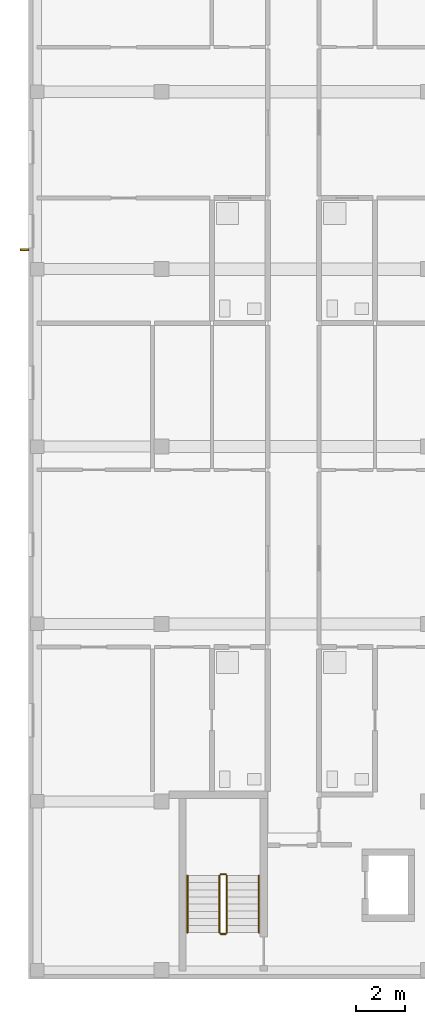
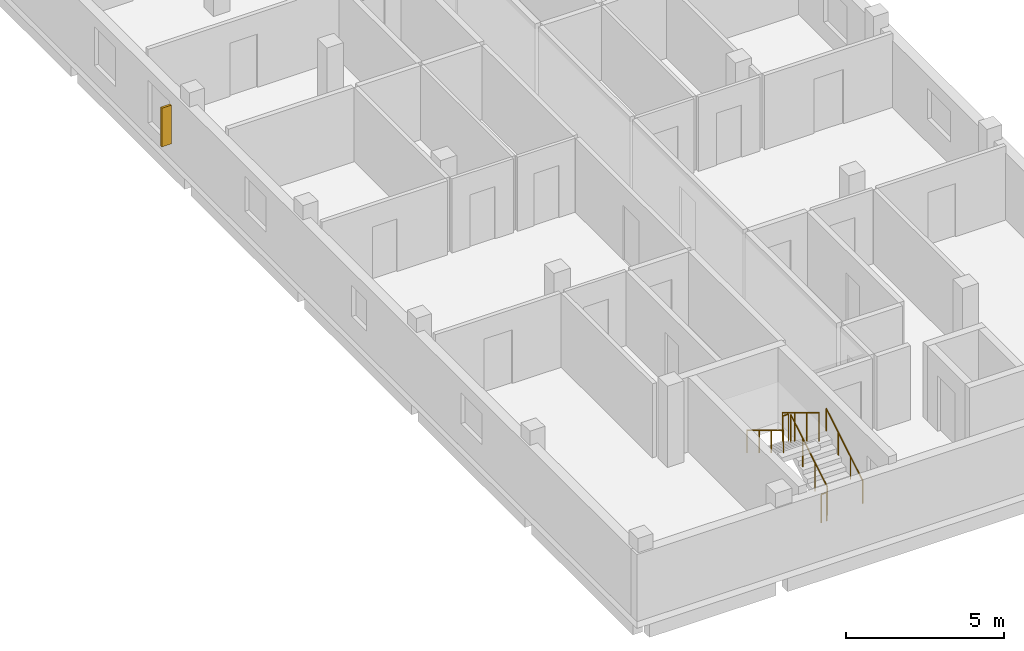
# One storey, part 27 of 38: 6 railings, 1 shading device.
"""IFC4 building model written with IfcOpenShell, lengths in metres."""

from ifc_helpers import new_model, si_unit, derived_unit, direction, frame, origin, origin_2d, place, context, subcontext, project, spatial, rectangle, circle, extrude, material, type_object, element, save


model = new_model("IFC4")

# Units and contexts
model_context = context("Model", 3, precision=1e-05, world=origin(), true_north=direction((0.0, 1.0)))
body_context = subcontext(model_context, "Body", "Model", "MODEL_VIEW")
ifc_project = project(units=[si_unit("LENGTHUNIT", "METRE"), si_unit("AREAUNIT", "SQUARE_METRE"), si_unit("VOLUMEUNIT", "CUBIC_METRE"), si_unit("PLANEANGLEUNIT", "RADIAN"), si_unit("MASSUNIT", "GRAM", prefix="KILO"), derived_unit("THERMALTRANSMITTANCEUNIT", [(si_unit("MASSUNIT", "GRAM", prefix="KILO"), 1), (si_unit("TIMEUNIT", "SECOND"), -3), (si_unit("THERMODYNAMICTEMPERATUREUNIT", "KELVIN"), -1)])], contexts=[model_context])

# Site, building, storey
site_placement = place(None, origin())
site = spatial("IfcSite", under=ifc_project, at=site_placement, CompositionType="ELEMENT")
building_placement = place(site_placement, origin())
building = spatial("IfcBuilding", under=site, at=building_placement, Name="Ochrekiln Boulevard Commons", CompositionType="ELEMENT")
storey_placement = place(building_placement, frame((0.0, 0.0, 24.675048828125)))
storey = spatial("IfcBuildingStorey", under=building, at=storey_placement, Name="L07", CompositionType="ELEMENT", Elevation=24.675048828125)

# Railings
ifc_material_1 = material(Name="Brushed stainless steel 316 tubular railing", Category="steel")
railing_type_1 = type_object("IfcRailingType", Name="RLG-HDR-900", PredefinedType="HANDRAIL", material=ifc_material_1)
railing_1_placement = place(storey_placement, frame((9.35009765625, 1.8701171875, 0.175048828125)))
element("IfcRailing", 1, at=railing_1_placement, inside=storey, type_object=railing_type_1, Name="L07 ST-D1 stair handrail 1", PredefinedType="HANDRAIL", context=body_context, shape_type="SweptSolid", body=[
    extrude(circle(Radius=0.02392578125, at=origin_2d()), frame((0.0, 0.0, 0.8759765625), z_axis=(0.0, 0.856186286599, 0.516667245565), x_axis=(-1.0, 0.0, 0.0)), (0.0, 0.0, 1.0), 2.70947265625),
    extrude(circle(Radius=0.02099609375, at=origin_2d()), origin(), (0.0, 0.0, 1.0), 0.851806640625),
    extrude(circle(Radius=0.02099609375, at=origin_2d()), frame((0.0, 0.773193359375, 0.466552734375)), (0.0, 0.0, 1.0), 0.851806640625),
    extrude(circle(Radius=0.02099609375, at=origin_2d()), frame((0.0, 1.546630859375, 0.933349609375)), (0.0, 0.0, 1.0), 0.851806640625),
    extrude(circle(Radius=0.02099609375, at=origin_2d()), frame((0.0, 2.31982421875, 1.39990234375)), (0.0, 0.0, 1.0), 0.851806640625),
])
railing_2_placement = place(storey_placement, frame((6.449951171875, 4.18994140625, 1.75)))
element("IfcRailing", 2, at=railing_2_placement, inside=storey, type_object=railing_type_1, Name="L07 ST-D1 stair handrail 2", PredefinedType="HANDRAIL", context=body_context, shape_type="SweptSolid", body=[
    extrude(circle(Radius=0.02392578125, at=origin_2d()), frame((0.0, 0.0, 0.8759765625), z_axis=(0.0, -0.856186286599, 0.516667245565), x_axis=(1.0, 0.0, 0.0)), (0.0, 0.0, 1.0), 2.70947265625),
    extrude(circle(Radius=0.02099609375, at=origin_2d()), origin(), (0.0, 0.0, 1.0), 0.851806640625),
    extrude(circle(Radius=0.02099609375, at=origin_2d()), frame((0.0, -0.773193359375, 0.466552734375)), (0.0, 0.0, 1.0), 0.851806640625),
    extrude(circle(Radius=0.02099609375, at=origin_2d()), frame((0.0, -1.546630859375, 0.933349609375)), (0.0, 0.0, 1.0), 0.851806640625),
    extrude(circle(Radius=0.02099609375, at=origin_2d()), frame((0.0, -2.31982421875, 1.39990234375)), (0.0, 0.0, 1.0), 0.851806640625),
])
railing_type_2 = type_object("IfcRailingType", Name="RLG-STR-1120", PredefinedType="BALUSTRADE", material=ifc_material_1)
railing_3_placement = place(storey_placement, frame((8.050048828125, 1.8701171875, 0.175048828125)))
element("IfcRailing", 3, at=railing_3_placement, inside=storey, type_object=railing_type_2, Name="L07 ST-D1 stair guard 1", PredefinedType="BALUSTRADE", context=body_context, shape_type="SweptSolid", body=[
    extrude(circle(Radius=0.02392578125, at=origin_2d()), frame((0.0, 0.0, 1.09619140625), z_axis=(0.0, 0.856186286599, 0.516667245565), x_axis=(-1.0, 0.0, 0.0)), (0.0, 0.0, 1.0), 2.70947265625),
    extrude(circle(Radius=0.02099609375, at=origin_2d()), origin(), (0.0, 0.0, 1.0), 1.072021484375),
    extrude(circle(Radius=0.02099609375, at=origin_2d()), frame((0.0, 0.773193359375, 0.466552734375)), (0.0, 0.0, 1.0), 1.072021484375),
    extrude(circle(Radius=0.02099609375, at=origin_2d()), frame((0.0, 1.546630859375, 0.933349609375)), (0.0, 0.0, 1.0), 1.072021484375),
    extrude(circle(Radius=0.02099609375, at=origin_2d()), frame((0.0, 2.31982421875, 1.39990234375)), (0.0, 0.0, 1.0), 1.072021484375),
])
railing_4_placement = place(storey_placement, frame((8.0, 4.239990234375, 1.574951171875)))
element("IfcRailing", 4, at=railing_4_placement, inside=storey, type_object=railing_type_2, Name="L07 ST-D1 stair guard 2", PredefinedType="BALUSTRADE", context=body_context, shape_type="SweptSolid", body=[
    extrude(circle(Radius=0.02392578125, at=origin_2d()), frame((0.0, 0.0, 1.09619140625), z_axis=(-1.0, 0.0, 0.0), x_axis=(0.0, -1.0, 0.0)), (0.0, 0.0, 1.0), 0.199951171875),
    extrude(circle(Radius=0.02099609375, at=origin_2d()), origin(), (0.0, 0.0, 1.0), 1.072021484375),
    extrude(circle(Radius=0.02099609375, at=origin_2d()), frame((-0.199951171875, 0.0, 0.0)), (0.0, 0.0, 1.0), 1.072021484375),
])
railing_5_placement = place(storey_placement, frame((7.75, 4.18994140625, 1.75)))
element("IfcRailing", 5, at=railing_5_placement, inside=storey, type_object=railing_type_2, Name="L07 ST-D1 stair guard 3", PredefinedType="BALUSTRADE", context=body_context, shape_type="SweptSolid", body=[
    extrude(circle(Radius=0.02392578125, at=origin_2d()), frame((0.0, 0.0, 1.09619140625), z_axis=(0.0, -0.856186286599, 0.516667245565), x_axis=(1.0, 0.0, 0.0)), (0.0, 0.0, 1.0), 2.70947265625),
    extrude(circle(Radius=0.02099609375, at=origin_2d()), origin(), (0.0, 0.0, 1.0), 1.072021484375),
    extrude(circle(Radius=0.02099609375, at=origin_2d()), frame((0.0, -0.773193359375, 0.466552734375)), (0.0, 0.0, 1.0), 1.072021484375),
    extrude(circle(Radius=0.02099609375, at=origin_2d()), frame((0.0, -1.546630859375, 0.933349609375)), (0.0, 0.0, 1.0), 1.072021484375),
    extrude(circle(Radius=0.02099609375, at=origin_2d()), frame((0.0, -2.31982421875, 1.39990234375)), (0.0, 0.0, 1.0), 1.072021484375),
])
railing_6_placement = place(storey_placement, frame((8.0, 1.820068359375, 0.0)))
element("IfcRailing", 6, at=railing_6_placement, inside=storey, type_object=railing_type_2, Name="L07 ST-D1 stair guard 4", PredefinedType="BALUSTRADE", context=body_context, shape_type="SweptSolid", body=[
    extrude(circle(Radius=0.02392578125, at=origin_2d()), frame((0.0, 0.0, 1.09619140625), z_axis=(-1.0, 0.0, 0.0), x_axis=(0.0, -1.0, 0.0)), (0.0, 0.0, 1.0), 0.199951171875),
    extrude(circle(Radius=0.02099609375, at=origin_2d()), origin(), (0.0, 0.0, 1.0), 1.072021484375),
    extrude(circle(Radius=0.02099609375, at=origin_2d()), frame((-0.199951171875, 0.0, 0.0)), (0.0, 0.0, 1.0), 1.072021484375),
])

# Shading device
ifc_material_2 = material(Name="Glazed architectural terracotta ASTM C1405", Category="masonry")
shading_device_type = type_object("IfcShadingDeviceType", Name="SHD-FIN-TERRA", PredefinedType="JALOUSIE", material=ifc_material_2)
shading_device_placement = place(storey_placement, frame((-0.169921875, 29.5849609375, 0.58984375), z_axis=(0.0, 0.0, 1.0), x_axis=(1.0, 0.0, 0.0)))
element("IfcShadingDevice", 7, at=shading_device_placement, inside=storey, type_object=shading_device_type, Name="Terracotta Solar Shading Fin SF-01 (84)", PredefinedType="JALOUSIE", context=body_context, shape_type="SweptSolid", body=[
    extrude(rectangle(XDim=0.35009765625, YDim=0.080078125, at=origin_2d()), origin(), (0.0, 0.0, 1.0), 1.5),
])

save(model, "model.ifc")
